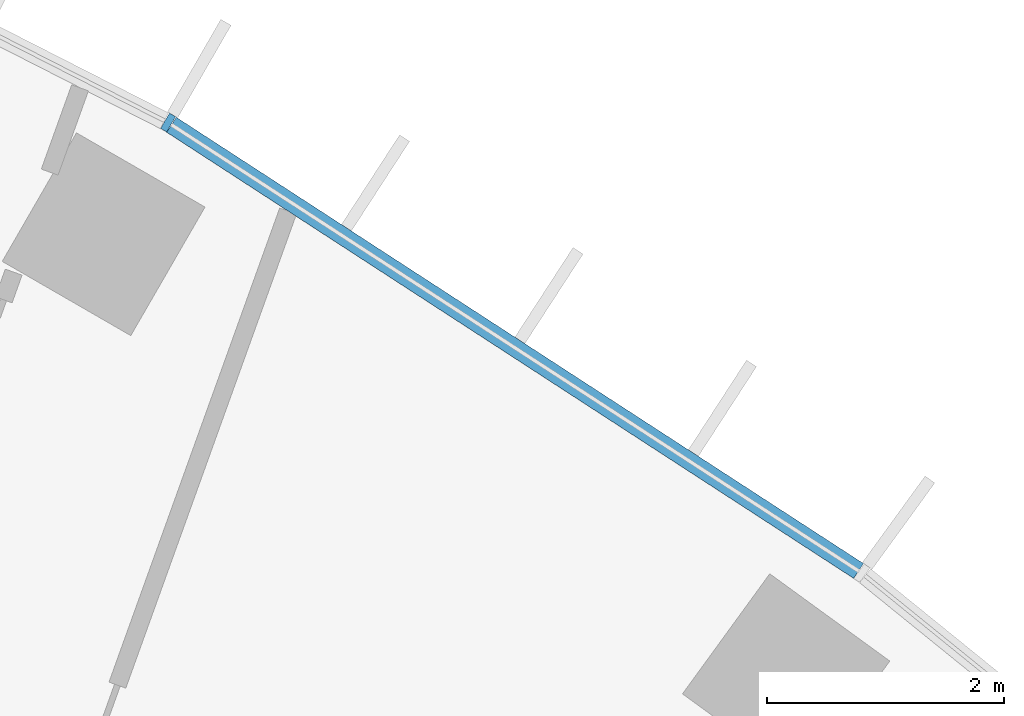
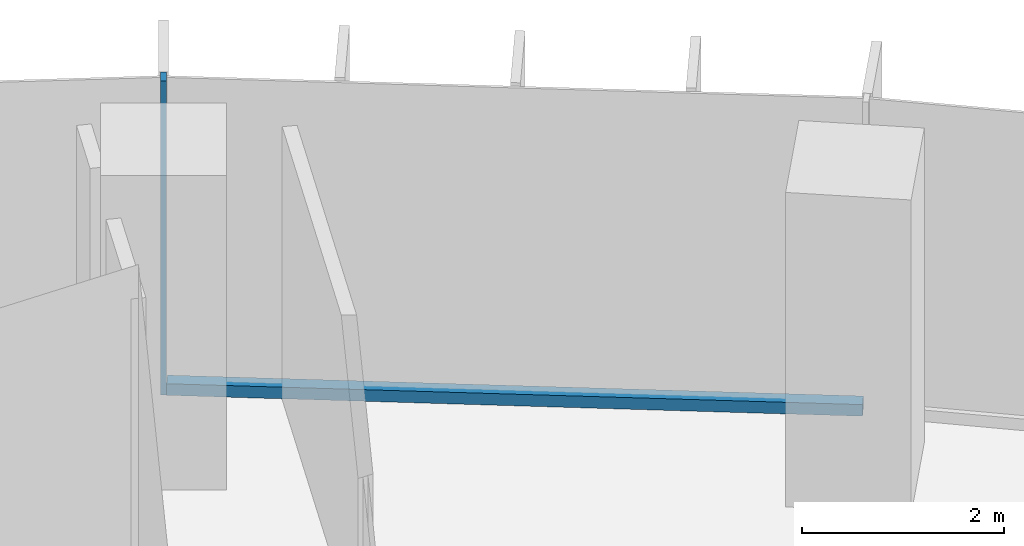
# One storey, part 13 of 24: 2 members, 1 element without a shape of its own.
"""IFC4 building model written with IfcOpenShell, lengths in metres."""

from ifc_helpers import new_model, si_unit, direction, frame, origin, origin_2d, place, context, subcontext, project, spatial, rectangle, extrude, material, layer, layer_set, material_profile, profile_set, type_object, element, aggregate, save


model = new_model("IFC4")

# Units and contexts
model_context = context("Model", 3, precision=1e-05, world=origin(), true_north=direction((0.0, 1.0)))
body_context = subcontext(model_context, "Body", "Model", "MODEL_VIEW")
ifc_project = project(units=[si_unit("LENGTHUNIT", "METRE"), si_unit("AREAUNIT", "SQUARE_METRE"), si_unit("VOLUMEUNIT", "CUBIC_METRE"), si_unit("PLANEANGLEUNIT", "RADIAN"), si_unit("MASSUNIT", "GRAM", prefix="KILO")], contexts=[model_context])

# Site, building, storey
site_placement = place(None, origin())
site = spatial("IfcSite", under=ifc_project, at=site_placement, CompositionType="ELEMENT")
building_placement = place(site_placement, origin())
building = spatial("IfcBuilding", under=site, at=building_placement, Name="Stone Belt Terrace Tower", CompositionType="ELEMENT")
storey_placement = place(building_placement, frame((0.0, 0.0, 75.60009765625)))
storey = spatial("IfcBuildingStorey", under=building, at=storey_placement, Name="L18", CompositionType="ELEMENT", Elevation=75.60009765625)

# Curtain wall, members
ifc_material = material(Name="Aluminium 6063-T6 anodised frame", Category="aluminium")
ifc_layer = layer(ifc_material, 0.14990234375)
ifc_layer_set = layer_set([ifc_layer], Name="CW-A unitised convex-face curtain wall")
curtain_wall_type = type_object("IfcCurtainWallType", Name="CW-A unitised convex-face curtain wall", PredefinedType="NOTDEFINED", material=ifc_layer_set)
curtain_wall_placement = place(storey_placement, origin())
curtain_wall = element("IfcCurtainWall", 1, at=curtain_wall_placement, inside=storey, type_object=curtain_wall_type, Name="CW-A convex face L18", PredefinedType="NOTDEFINED")
ifc_material_profile_1 = material_profile(ifc_material, rectangle(XDim=0.14990234375, YDim=0.06005859375, at=origin_2d()), Name="Aluminium 6063-T6 60x150")
ifc_profile_set_1 = profile_set([ifc_material_profile_1], Name="Aluminium 6063-T6 anodised frame")
member_type_1 = type_object("IfcMemberType", Name="CW-A mullion 60 x 150", PredefinedType="MULLION", material=ifc_profile_set_1)
member_1_placement = place(storey_placement, frame((33.28759765625, 57.65576171875, 0.0), z_axis=(0.0, 0.0, 1.0), x_axis=(-0.5, -0.866025403784, 0.0)))
member_1 = element("IfcMember", 2, at=member_1_placement, type_object=member_type_1, Name="CW-A mullion 4", PredefinedType="MULLION", context=body_context, shape_type="SweptSolid", body=[
    extrude(rectangle(XDim=0.14990234375, YDim=0.06005859375, at=origin_2d()), origin(), (0.0, 0.0, 1.0), 3.7998046875),
])
ifc_material_profile_2 = material_profile(ifc_material, rectangle(XDim=0.14990234375, YDim=0.139892578125, at=origin_2d()), Name="Aluminium 6063-T6 150x140")
ifc_profile_set_2 = profile_set([ifc_material_profile_2], Name="Aluminium 6063-T6 anodised frame")
member_type_2 = type_object("IfcMemberType", Name="CW-A transom 140 x 150", PredefinedType="USERDEFINED", material=ifc_profile_set_2)
member_2_placement = place(storey_placement, frame((39.103515625, 53.87890625, 0.06982421875), z_axis=(-0.83868440714, 0.544617723931, 0.0), x_axis=(-0.544617723931, -0.83868440714, 0.0)))
member_2 = element("IfcMember", 3, at=member_2_placement, type_object=member_type_2, Name="CW-A transom 3.1", ObjectType="TRANSOM", PredefinedType="USERDEFINED", context=body_context, shape_type="SweptSolid", body=[
    extrude(rectangle(XDim=0.14990234375, YDim=0.139892578125, at=origin_2d()), origin(), (0.0, 0.0, 1.0), 6.90087890625),
])
aggregate(curtain_wall, [member_1, member_2])

save(model, "model.ifc")
